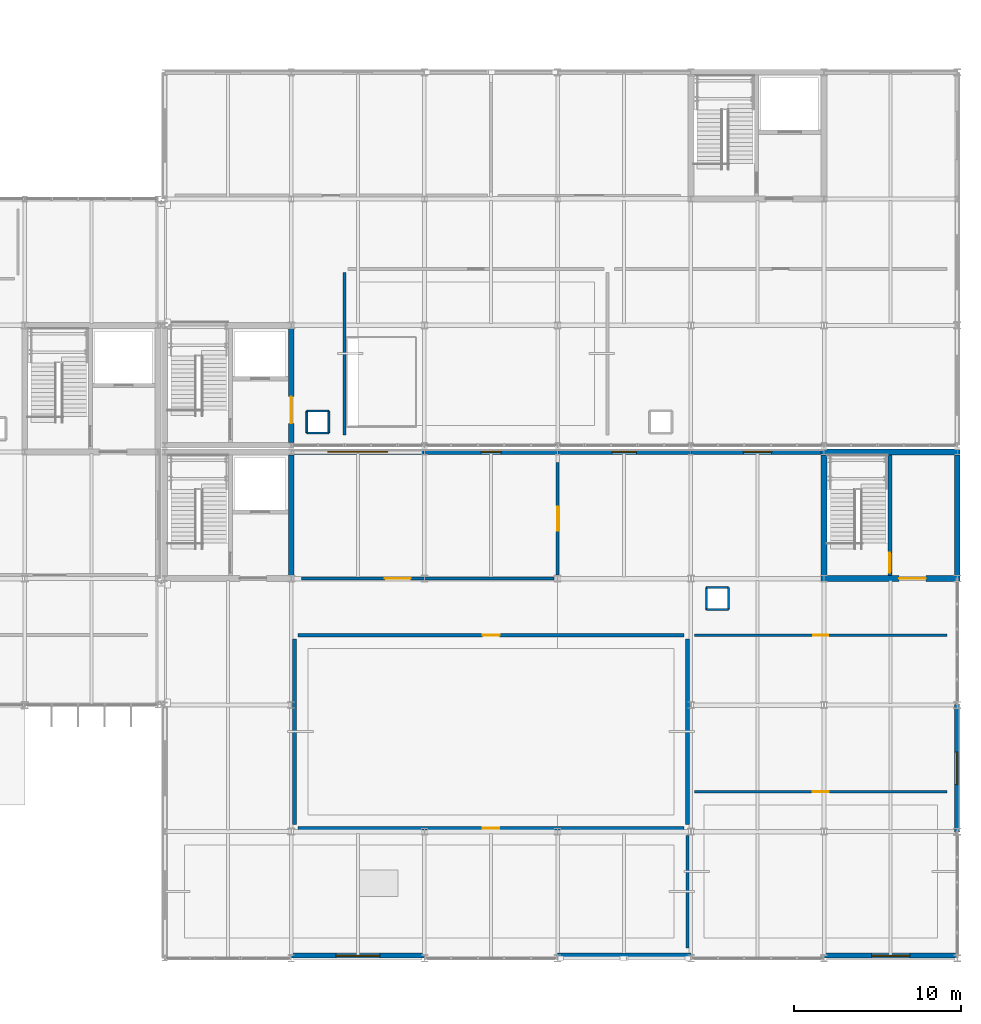
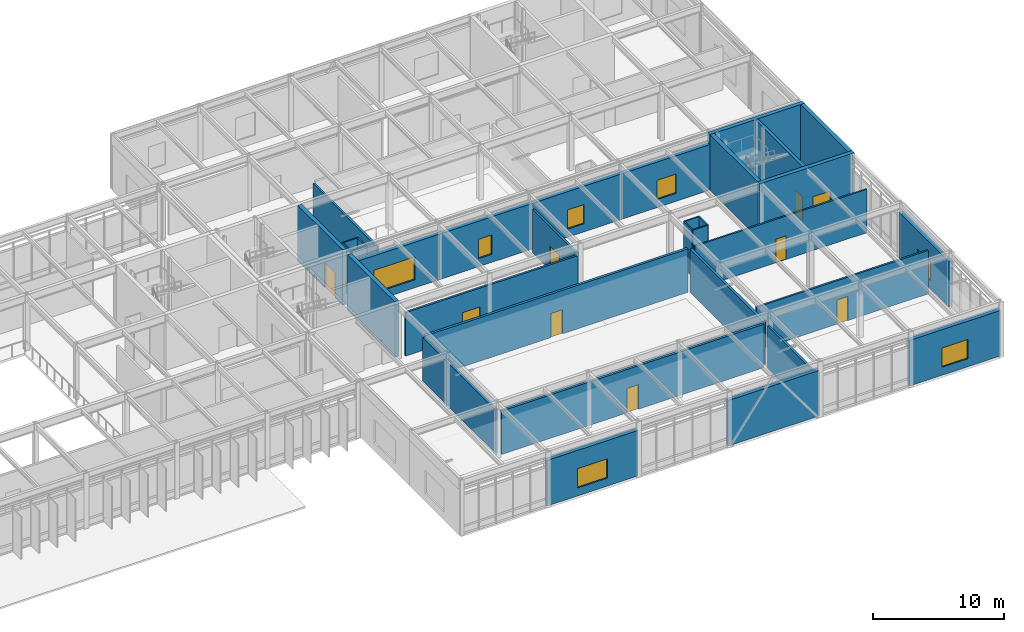
# One storey, part 77 of 94: 33 walls, 9 doors, 7 windows, 16 openings.
"""IFC4 building model written with IfcOpenShell, lengths in metres."""

from ifc_helpers import new_model, si_unit, direction, frame, frame_2d, origin, place, context, subcontext, project, spatial, rectangle, extrude, material, layer, layer_set, type_object, element, fill, save


model = new_model("IFC4")

# Units and contexts
model_context = context("Model", 3, precision=1e-05, world=origin(), true_north=direction((0.0, 1.0)))
body_context = subcontext(model_context, "Body", "Model", "MODEL_VIEW")
ifc_project = project(units=[si_unit("LENGTHUNIT", "METRE"), si_unit("AREAUNIT", "SQUARE_METRE"), si_unit("VOLUMEUNIT", "CUBIC_METRE"), si_unit("PLANEANGLEUNIT", "RADIAN"), si_unit("MASSUNIT", "GRAM", prefix="KILO")], contexts=[model_context])

# Site, building, storey
site_placement = place(None, origin())
site = spatial("IfcSite", under=ifc_project, at=site_placement, CompositionType="ELEMENT")
building_placement = place(site_placement, origin())
building = spatial("IfcBuilding", under=site, at=building_placement, Name="Zulena Civic Courthouse", CompositionType="ELEMENT")
storey_placement = place(building_placement, frame((0.0, 0.0, 5.39990234375)))
storey = spatial("IfcBuildingStorey", under=building, at=storey_placement, Name="L01", CompositionType="ELEMENT", Elevation=5.39990234375)

# Wall, opening, door
ifc_material_1 = material(Name="Concrete C40/50", Category="concrete")
ifc_layer_1 = layer(ifc_material_1, 0.25)
ifc_layer_set_1 = layer_set([ifc_layer_1], Name="Concrete C40/50")
wall_type_1 = type_object("IfcWallType", Name="CoreShearWall_RC250", PredefinedType="SHEAR", material=ifc_layer_set_1)
wall_1_placement = place(storey_placement, frame((167.949951171875, 22.97509765625, 0.0), z_axis=(0.0, 0.0, 1.0), x_axis=(0.0, 1.0, 0.0)))
wall_1 = element("IfcWall", 1, at=wall_1_placement, inside=storey, type_object=wall_type_1, Name="cwall:K1B:L01:DIV", PredefinedType="SHEAR", context=body_context, shape_type="SweptSolid", body=[
    extrude(rectangle(XDim=7.25, YDim=0.25, at=frame_2d((3.625, 0.0))), origin(), (0.0, 0.0, 1.0), 5.190185546875),
])
opening_1_placement = place(wall_1_placement, frame((0.179931640625, 0.0, 0.0)))
opening_1 = element("IfcOpeningElement", 2, at=opening_1_placement, cuts=wall_1, Name="Opening ID07", PredefinedType="OPENING", context=body_context, shape_type="SweptSolid", body=[
    extrude(rectangle(XDim=1.199951171875, YDim=2.199951171875, at=frame_2d((0.60009765625, 1.10009765625))), frame((0.0, 0.135009765625, 0.0), z_axis=(0.0, -1.0, 0.0), x_axis=(1.0, 0.0, 0.0)), (0.0, 0.0, 1.0), 0.27001953125),
])
ifc_material_2 = material(Name="Fire-rated galvanised steel ASTM A653 Grade 50", Category="steel")
door_type_1 = type_object("IfcDoorType", Name="IntDoor_Stair_1200x2200", OperationType="NOTDEFINED", PredefinedType="DOOR", material=ifc_material_2)
door_1_placement = place(opening_1_placement, origin())
door_1 = element("IfcDoor", 3, at=door_1_placement, inside=storey, type_object=door_type_1, Name="door:stair:K1B:L01", OperationType="SINGLE_SWING_RIGHT", OverallHeight=2.199951171875, OverallWidth=1.199951171875, PredefinedType="DOOR", context=body_context, shape_type="SweptSolid", body=[
    extrude(rectangle(XDim=1.199951171875, YDim=2.199951171875, at=frame_2d((0.60009765625, 1.10009765625))), frame((0.0, 0.02490234375, 0.0), z_axis=(0.0, -1.0, 0.0), x_axis=(1.0, 0.0, 0.0)), (0.0, 0.0, 1.0), 0.050048828125),
])
fill(opening_1, door_1)

# Wall
ifc_layer_2 = layer(ifc_material_1, 0.35009765625)
ifc_layer_set_2 = layer_set([ifc_layer_2], Name="Concrete C40/50")
wall_type_2 = type_object("IfcWallType", Name="CoreShearWall_RC350", PredefinedType="SHEAR", material=ifc_layer_set_2)
wall_2_placement = place(storey_placement, frame((132.0, 22.97509765625, 0.0), z_axis=(0.0, 0.0, 1.0), x_axis=(0.0, 1.0, 0.0)))
element("IfcWall", 4, at=wall_2_placement, inside=storey, type_object=wall_type_2, Name="cwall:K1A:L01:E", PredefinedType="SHEAR", context=body_context, shape_type="SweptSolid", body=[
    extrude(rectangle(XDim=7.25, YDim=0.35009765625, at=frame_2d((3.625, 0.0))), origin(), (0.0, 0.0, 1.0), 5.190185546875),
])

# Wall, opening, door
wall_3_placement = place(storey_placement, frame((163.824951171875, 22.800048828125, 0.0), z_axis=(0.0, 0.0, 1.0), x_axis=(1.0, 0.0, 0.0)))
wall_3 = element("IfcWall", 5, at=wall_3_placement, inside=storey, type_object=wall_type_2, Name="cwall:K1B:L01:S", PredefinedType="SHEAR", context=body_context, shape_type="SweptSolid", body=[
    extrude(rectangle(XDim=8.35009765625, YDim=0.35009765625, at=frame_2d((4.175048828125, 0.0))), origin(), (0.0, 0.0, 1.0), 5.190185546875),
])
opening_2_placement = place(wall_3_placement, frame((4.68505859375, 0.0, 0.0)))
opening_2 = element("IfcOpeningElement", 6, at=opening_2_placement, cuts=wall_3, Name="Opening ID04", PredefinedType="OPENING", context=body_context, shape_type="SweptSolid", body=[
    extrude(rectangle(XDim=1.60009765625, YDim=2.35009765625, at=frame_2d((0.800048828125, 1.175048828125))), frame((0.0, 0.18505859375, 0.0), z_axis=(0.0, -1.0, 0.0), x_axis=(1.0, 0.0, 0.0)), (0.0, 0.0, 1.0), 0.3701171875),
])
ifc_material_3 = material(Name="Solid-core acoustic hardwood timber", Category="wood")
door_type_2 = type_object("IfcDoorType", Name="IntDoor_CourtPublic_1600x2350", OperationType="DOUBLE_DOOR_SINGLE_SWING", PredefinedType="DOOR", material=ifc_material_3)
door_2_placement = place(opening_2_placement, origin())
door_2 = element("IfcDoor", 7, at=door_2_placement, inside=storey, type_object=door_type_2, Name="door:corelob:K1B:L01", OperationType="DOUBLE_DOOR_SINGLE_SWING", OverallHeight=2.35009765625, OverallWidth=1.60009765625, PredefinedType="DOOR", context=body_context, shape_type="SweptSolid", body=[
    extrude(rectangle(XDim=1.60009765625, YDim=2.35009765625, at=frame_2d((0.800048828125, 1.175048828125))), frame((0.0, 0.02490234375, 0.0), z_axis=(0.0, -1.0, 0.0), x_axis=(1.0, 0.0, 0.0)), (0.0, 0.0, 1.0), 0.050048828125),
])
fill(opening_2, door_2)

# Walls
wall_4_placement = place(storey_placement, frame((163.824951171875, 30.39990234375, 0.0), z_axis=(0.0, 0.0, 1.0), x_axis=(1.0, 0.0, 0.0)))
element("IfcWall", 8, at=wall_4_placement, inside=storey, type_object=wall_type_2, Name="cwall:K1B:L01:N", PredefinedType="SHEAR", context=body_context, shape_type="SweptSolid", body=[
    extrude(rectangle(XDim=8.35009765625, YDim=0.35009765625, at=frame_2d((4.175048828125, 0.0))), origin(), (0.0, 0.0, 1.0), 5.190185546875),
])
for number, where, z_axis, x_axis, name in (
    (9, (164.0, 22.97509765625, 0.0), (0.0, 0.0, 1.0), (0.0, 1.0, 0.0), "cwall:K1B:L01:W"),
    (10, (172.0, 22.97509765625, 0.0), (0.0, 0.0, 1.0), (0.0, 1.0, 0.0), "cwall:K1B:L01:E"),
):
    element("IfcWall", number, at=place(storey_placement, frame(where, z_axis=z_axis, x_axis=x_axis)), inside=storey, type_object=wall_type_2, Name=name, PredefinedType="SHEAR", context=body_context, shape_type="SweptSolid", body=[
        extrude(rectangle(XDim=7.25, YDim=0.35009765625, at=frame_2d((3.625, 0.0))), origin(), (0.0, 0.0, 1.0), 5.190185546875),
    ])

# Wall, opening, door
wall_5_placement = place(storey_placement, frame((132.0, 30.97509765625, 0.0), z_axis=(0.0, 0.0, 1.0), x_axis=(0.0, 1.0, 0.0)))
wall_5 = element("IfcWall", 11, at=wall_5_placement, inside=storey, type_object=wall_type_2, Name="cwall:K3A:L01:E", PredefinedType="SHEAR", context=body_context, shape_type="SweptSolid", body=[
    extrude(rectangle(XDim=6.849853515625, YDim=0.35009765625, at=frame_2d((3.4248046875, 0.0))), origin(), (0.0, 0.0, 1.0), 5.190185546875),
])
opening_3_placement = place(wall_5_placement, frame((1.14990234375, 0.0, 0.0)))
opening_3 = element("IfcOpeningElement", 12, at=opening_3_placement, cuts=wall_5, Name="Opening ID04", PredefinedType="OPENING", context=body_context, shape_type="SweptSolid", body=[
    extrude(rectangle(XDim=1.60009765625, YDim=2.35009765625, at=frame_2d((0.800048828125, 1.175048828125))), frame((0.0, 0.18505859375, 0.0), z_axis=(0.0, -1.0, 0.0), x_axis=(1.0, 0.0, 0.0)), (0.0, 0.0, 1.0), 0.3701171875),
])
door_3_placement = place(opening_3_placement, origin())
door_3 = element("IfcDoor", 13, at=door_3_placement, inside=storey, type_object=door_type_2, Name="door:corelob:K3A:L01", OperationType="DOUBLE_DOOR_SINGLE_SWING", OverallHeight=2.35009765625, OverallWidth=1.60009765625, PredefinedType="DOOR", context=body_context, shape_type="SweptSolid", body=[
    extrude(rectangle(XDim=1.60009765625, YDim=2.35009765625, at=frame_2d((0.800048828125, 1.175048828125))), frame((0.0, 0.02490234375, 0.0), z_axis=(0.0, -1.0, 0.0), x_axis=(1.0, 0.0, 0.0)), (0.0, 0.0, 1.0), 0.050048828125),
])
fill(opening_3, door_3)

# Wall, opening, window
ifc_material_4 = material(Name="Terracotta-rose architectural precast concrete C40/50", Category="masonry")
ifc_layer_3 = layer(ifc_material_4, 0.320068359375)
ifc_layer_set_3 = layer_set([ifc_layer_3], Name="Terracotta-rose architectural precast concrete C40/50")
wall_type_3 = type_object("IfcWallType", Name="ExtWall_TerraPrecast_320", PredefinedType="STANDARD", material=ifc_layer_set_3)
wall_6_placement = place(storey_placement, frame((131.97998046875, 30.39990234375, 0.0), z_axis=(0.0, 0.0, 1.0), x_axis=(1.0, 0.0, 0.0)))
wall_6 = element("IfcWall", 14, at=wall_6_placement, inside=storey, type_object=wall_type_3, Name="ewall:V1:L01:1:1", PredefinedType="STANDARD", context=body_context, shape_type="SweptSolid", body=[
    extrude(rectangle(XDim=8.0400390625, YDim=0.320068359375, at=frame_2d((4.02001953125, 0.0))), origin(), (0.0, 0.0, 1.0), 4.25),
])
opening_4_placement = place(wall_6_placement, frame((2.219970703125, 0.0, 0.75)))
opening_4 = element("IfcOpeningElement", 15, at=opening_4_placement, cuts=wall_6, Name="Opening WN15", PredefinedType="OPENING", context=body_context, shape_type="SweptSolid", body=[
    extrude(rectangle(XDim=3.60009765625, YDim=2.14990234375, at=frame_2d((1.800048828125, 1.074951171875))), frame((0.0, 0.169921875, 0.0), z_axis=(0.0, -1.0, 0.0), x_axis=(1.0, 0.0, 0.0)), (0.0, 0.0, 1.0), 0.340087890625),
])
ifc_material_5 = material(Name="Double-silver low-E laminated solar-control glass", Category="glass")
window_type_1 = type_object("IfcWindowType", Name="Win_3600x2150", PartitioningType="DOUBLE_PANEL_VERTICAL", PredefinedType="WINDOW", material=ifc_material_5)
window_1_placement = place(opening_4_placement, origin())
window_1 = element("IfcWindow", 16, at=window_1_placement, inside=storey, type_object=window_type_1, Name="win:V1:L01:1:1", OverallHeight=2.14990234375, OverallWidth=3.60009765625, PartitioningType="SINGLE_PANEL", PredefinedType="WINDOW", context=body_context, shape_type="SweptSolid", body=[
    extrude(rectangle(XDim=3.60009765625, YDim=2.14990234375, at=frame_2d((1.800048828125, 1.074951171875))), frame((0.0, 0.030029296875, 0.0), z_axis=(0.0, -1.0, 0.0), x_axis=(1.0, 0.0, 0.0)), (0.0, 0.0, 1.0), 0.06005859375),
])
fill(opening_4, window_1)

wall_7_placement = place(storey_placement, frame((139.97998046875, 30.39990234375, 0.0), z_axis=(0.0, 0.0, 1.0), x_axis=(1.0, 0.0, 0.0)))
wall_7 = element("IfcWall", 17, at=wall_7_placement, inside=storey, type_object=wall_type_3, Name="ewall:V1:L01:1:2", PredefinedType="STANDARD", context=body_context, shape_type="SweptSolid", body=[
    extrude(rectangle(XDim=8.0400390625, YDim=0.320068359375, at=frame_2d((4.02001953125, 0.0))), origin(), (0.0, 0.0, 1.0), 4.25),
])
opening_5_placement = place(wall_7_placement, frame((3.419921875, 0.0, 0.75)))
opening_5 = element("IfcOpeningElement", 18, at=opening_5_placement, cuts=wall_7, Name="Opening WN16", PredefinedType="OPENING", context=body_context, shape_type="SweptSolid", body=[
    extrude(rectangle(XDim=1.199951171875, YDim=1.800048828125, at=frame_2d((0.60009765625, 0.89990234375))), frame((0.0, 0.169921875, 0.0), z_axis=(0.0, -1.0, 0.0), x_axis=(1.0, 0.0, 0.0)), (0.0, 0.0, 1.0), 0.340087890625),
])
window_type_2 = type_object("IfcWindowType", Name="Win_1200x1800", PartitioningType="SINGLE_PANEL", PredefinedType="WINDOW", material=ifc_material_5)
window_2_placement = place(opening_5_placement, origin())
window_2 = element("IfcWindow", 19, at=window_2_placement, inside=storey, type_object=window_type_2, Name="win:V1:L01:1:2", OverallHeight=1.800048828125, OverallWidth=1.199951171875, PartitioningType="SINGLE_PANEL", PredefinedType="WINDOW", context=body_context, shape_type="SweptSolid", body=[
    extrude(rectangle(XDim=1.199951171875, YDim=1.800048828125, at=frame_2d((0.60009765625, 0.89990234375))), frame((0.0, 0.030029296875, 0.0), z_axis=(0.0, -1.0, 0.0), x_axis=(1.0, 0.0, 0.0)), (0.0, 0.0, 1.0), 0.06005859375),
])
fill(opening_5, window_2)

wall_8_placement = place(storey_placement, frame((147.97998046875, 30.39990234375, 0.0), z_axis=(0.0, 0.0, 1.0), x_axis=(1.0, 0.0, 0.0)))
wall_8 = element("IfcWall", 20, at=wall_8_placement, inside=storey, type_object=wall_type_3, Name="ewall:V1:L01:1:3", PredefinedType="STANDARD", context=body_context, shape_type="SweptSolid", body=[
    extrude(rectangle(XDim=8.0400390625, YDim=0.320068359375, at=frame_2d((4.02001953125, 0.0))), origin(), (0.0, 0.0, 1.0), 4.25),
])
opening_6_placement = place(wall_8_placement, frame((3.294921875, 0.0, 0.75)))
opening_6 = element("IfcOpeningElement", 21, at=opening_6_placement, cuts=wall_8, Name="Opening WN17", PredefinedType="OPENING", context=body_context, shape_type="SweptSolid", body=[
    extrude(rectangle(XDim=1.449951171875, YDim=1.800048828125, at=frame_2d((0.72509765625, 0.89990234375))), frame((0.0, 0.169921875, 0.0), z_axis=(0.0, -1.0, 0.0), x_axis=(1.0, 0.0, 0.0)), (0.0, 0.0, 1.0), 0.340087890625),
])
window_type_3 = type_object("IfcWindowType", Name="Win_1450x1800", PartitioningType="SINGLE_PANEL", PredefinedType="WINDOW", material=ifc_material_5)
window_3_placement = place(opening_6_placement, origin())
window_3 = element("IfcWindow", 22, at=window_3_placement, inside=storey, type_object=window_type_3, Name="win:V1:L01:1:3", OverallHeight=1.800048828125, OverallWidth=1.449951171875, PartitioningType="SINGLE_PANEL", PredefinedType="WINDOW", context=body_context, shape_type="SweptSolid", body=[
    extrude(rectangle(XDim=1.449951171875, YDim=1.800048828125, at=frame_2d((0.72509765625, 0.89990234375))), frame((0.0, 0.030029296875, 0.0), z_axis=(0.0, -1.0, 0.0), x_axis=(1.0, 0.0, 0.0)), (0.0, 0.0, 1.0), 0.06005859375),
])
fill(opening_6, window_3)

wall_9_placement = place(storey_placement, frame((155.97998046875, 30.39990234375, 0.0), z_axis=(0.0, 0.0, 1.0), x_axis=(1.0, 0.0, 0.0)))
wall_9 = element("IfcWall", 23, at=wall_9_placement, inside=storey, type_object=wall_type_3, Name="ewall:V1:L01:1:4", PredefinedType="STANDARD", context=body_context, shape_type="SweptSolid", body=[
    extrude(rectangle(XDim=8.0400390625, YDim=0.320068359375, at=frame_2d((4.02001953125, 0.0))), origin(), (0.0, 0.0, 1.0), 4.25),
])
opening_7_placement = place(wall_9_placement, frame((3.169921875, 0.0, 0.75)))
opening_7 = element("IfcOpeningElement", 24, at=opening_7_placement, cuts=wall_9, Name="Opening WN18", PredefinedType="OPENING", context=body_context, shape_type="SweptSolid", body=[
    extrude(rectangle(XDim=1.699951171875, YDim=1.800048828125, at=frame_2d((0.85009765625, 0.89990234375))), frame((0.0, 0.169921875, 0.0), z_axis=(0.0, -1.0, 0.0), x_axis=(1.0, 0.0, 0.0)), (0.0, 0.0, 1.0), 0.340087890625),
])
window_type_4 = type_object("IfcWindowType", Name="Win_1700x1800", PartitioningType="SINGLE_PANEL", PredefinedType="WINDOW", material=ifc_material_5)
window_4_placement = place(opening_7_placement, origin())
window_4 = element("IfcWindow", 25, at=window_4_placement, inside=storey, type_object=window_type_4, Name="win:V1:L01:1:4", OverallHeight=1.800048828125, OverallWidth=1.699951171875, PartitioningType="SINGLE_PANEL", PredefinedType="WINDOW", context=body_context, shape_type="SweptSolid", body=[
    extrude(rectangle(XDim=1.699951171875, YDim=1.800048828125, at=frame_2d((0.85009765625, 0.89990234375))), frame((0.0, 0.030029296875, 0.0), z_axis=(0.0, -1.0, 0.0), x_axis=(1.0, 0.0, 0.0)), (0.0, 0.0, 1.0), 0.06005859375),
])
fill(opening_7, window_4)

wall_10_placement = place(storey_placement, frame((172.0, 15.219970703125, 0.0), z_axis=(0.0, 0.0, 1.0), x_axis=(0.0, -1.0, 0.0)))
wall_10 = element("IfcWall", 26, at=wall_10_placement, inside=storey, type_object=wall_type_3, Name="ewall:V1:L01:2:2", PredefinedType="STANDARD", context=body_context, shape_type="SweptSolid", body=[
    extrude(rectangle(XDim=7.639892578125, YDim=0.320068359375, at=frame_2d((3.81982421875, 0.0))), origin(), (0.0, 0.0, 1.0), 4.25),
])
opening_8_placement = place(wall_10_placement, frame((2.844970703125, 0.0, 0.75)))
opening_8 = element("IfcOpeningElement", 27, at=opening_8_placement, cuts=wall_10, Name="Opening WN19", PredefinedType="OPENING", context=body_context, shape_type="SweptSolid", body=[
    extrude(rectangle(XDim=1.949951171875, YDim=1.800048828125, at=frame_2d((0.97509765625, 0.89990234375))), frame((0.0, 0.169921875, 0.0), z_axis=(0.0, -1.0, 0.0), x_axis=(1.0, 0.0, 0.0)), (0.0, 0.0, 1.0), 0.340087890625),
])
window_type_5 = type_object("IfcWindowType", Name="Win_1950x1800", PartitioningType="DOUBLE_PANEL_VERTICAL", PredefinedType="WINDOW", material=ifc_material_5)
window_5_placement = place(opening_8_placement, origin())
window_5 = element("IfcWindow", 28, at=window_5_placement, inside=storey, type_object=window_type_5, Name="win:V1:L01:2:2", OverallHeight=1.800048828125, OverallWidth=1.949951171875, PartitioningType="SINGLE_PANEL", PredefinedType="WINDOW", context=body_context, shape_type="SweptSolid", body=[
    extrude(rectangle(XDim=1.949951171875, YDim=1.800048828125, at=frame_2d((0.97509765625, 0.89990234375))), frame((0.0, 0.030029296875, 0.0), z_axis=(0.0, -1.0, 0.0), x_axis=(1.0, 0.0, 0.0)), (0.0, 0.0, 1.0), 0.06005859375),
])
fill(opening_8, window_5)

wall_11_placement = place(storey_placement, frame((172.02001953125, 0.159912109375, 0.0), z_axis=(0.0, 0.0, 1.0), x_axis=(-1.0, 0.0, 0.0)))
wall_11 = element("IfcWall", 29, at=wall_11_placement, inside=storey, type_object=wall_type_3, Name="ewall:V1:L01:3:0", PredefinedType="STANDARD", context=body_context, shape_type="SweptSolid", body=[
    extrude(rectangle(XDim=8.0400390625, YDim=0.320068359375, at=frame_2d((4.02001953125, 0.0))), origin(), (0.0, 0.0, 1.0), 4.25),
])
opening_9_placement = place(wall_11_placement, frame((2.8701171875, 0.0, 0.75)))
opening_9 = element("IfcOpeningElement", 30, at=opening_9_placement, cuts=wall_11, Name="Opening WN20", PredefinedType="OPENING", context=body_context, shape_type="SweptSolid", body=[
    extrude(rectangle(XDim=2.300048828125, YDim=1.800048828125, at=frame_2d((1.14990234375, 0.89990234375))), frame((0.0, 0.169921875, 0.0), z_axis=(0.0, -1.0, 0.0), x_axis=(1.0, 0.0, 0.0)), (0.0, 0.0, 1.0), 0.340087890625),
])
window_type_6 = type_object("IfcWindowType", Name="Win_2300x1800", PartitioningType="DOUBLE_PANEL_VERTICAL", PredefinedType="WINDOW", material=ifc_material_5)
window_6_placement = place(opening_9_placement, origin())
window_6 = element("IfcWindow", 31, at=window_6_placement, inside=storey, type_object=window_type_6, Name="win:V1:L01:3:0", OverallHeight=1.800048828125, OverallWidth=2.300048828125, PartitioningType="SINGLE_PANEL", PredefinedType="WINDOW", context=body_context, shape_type="SweptSolid", body=[
    extrude(rectangle(XDim=2.300048828125, YDim=1.800048828125, at=frame_2d((1.14990234375, 0.89990234375))), frame((0.0, 0.030029296875, 0.0), z_axis=(0.0, -1.0, 0.0), x_axis=(1.0, 0.0, 0.0)), (0.0, 0.0, 1.0), 0.06005859375),
])
fill(opening_9, window_6)

# Wall
wall_12_placement = place(storey_placement, frame((156.02001953125, 0.159912109375, 0.0), z_axis=(0.0, 0.0, 1.0), x_axis=(-1.0, 0.0, 0.0)))
element("IfcWall", 32, at=wall_12_placement, inside=storey, type_object=wall_type_3, Name="ewall:V1:L01:3:2", PredefinedType="STANDARD", context=body_context, shape_type="SweptSolid", body=[
    extrude(rectangle(XDim=8.0400390625, YDim=0.320068359375, at=frame_2d((4.02001953125, 0.0))), origin(), (0.0, 0.0, 1.0), 4.25),
])

# Wall, opening, window
wall_13_placement = place(storey_placement, frame((140.02001953125, 0.159912109375, 0.0), z_axis=(0.0, 0.0, 1.0), x_axis=(-1.0, 0.0, 0.0)))
wall_13 = element("IfcWall", 33, at=wall_13_placement, inside=storey, type_object=wall_type_3, Name="ewall:V1:L01:3:4", PredefinedType="STANDARD", context=body_context, shape_type="SweptSolid", body=[
    extrude(rectangle(XDim=8.0400390625, YDim=0.320068359375, at=frame_2d((4.02001953125, 0.0))), origin(), (0.0, 0.0, 1.0), 4.25),
])
opening_10_placement = place(wall_13_placement, frame((2.695068359375, 0.0, 0.75)))
opening_10 = element("IfcOpeningElement", 34, at=opening_10_placement, cuts=wall_13, Name="Opening WN21", PredefinedType="OPENING", context=body_context, shape_type="SweptSolid", body=[
    extrude(rectangle(XDim=2.64990234375, YDim=1.800048828125, at=frame_2d((1.324951171875, 0.89990234375))), frame((0.0, 0.169921875, 0.0), z_axis=(0.0, -1.0, 0.0), x_axis=(1.0, 0.0, 0.0)), (0.0, 0.0, 1.0), 0.340087890625),
])
window_type_7 = type_object("IfcWindowType", Name="Win_2650x1800", PartitioningType="DOUBLE_PANEL_VERTICAL", PredefinedType="WINDOW", material=ifc_material_5)
window_7_placement = place(opening_10_placement, origin())
window_7 = element("IfcWindow", 35, at=window_7_placement, inside=storey, type_object=window_type_7, Name="win:V1:L01:3:4", OverallHeight=1.800048828125, OverallWidth=2.64990234375, PartitioningType="SINGLE_PANEL", PredefinedType="WINDOW", context=body_context, shape_type="SweptSolid", body=[
    extrude(rectangle(XDim=2.64990234375, YDim=1.800048828125, at=frame_2d((1.324951171875, 0.89990234375))), frame((0.0, 0.030029296875, 0.0), z_axis=(0.0, -1.0, 0.0), x_axis=(1.0, 0.0, 0.0)), (0.0, 0.0, 1.0), 0.06005859375),
])
fill(opening_10, window_7)

# Wall, opening, door
ifc_material_6 = material(Name="Acoustic fire-rated gypsum board assembly", Category="masonry")
ifc_layer_4 = layer(ifc_material_6, 0.14599609375)
ifc_layer_set_4 = layer_set([ifc_layer_4], Name="Acoustic fire-rated gypsum board assembly")
wall_type_4 = type_object("IfcWallType", Name="PartWall_Chambers_146", PredefinedType="PARTITIONING", material=ifc_layer_set_4)
wall_14_placement = place(storey_placement, frame((156.219970703125, 19.39990234375, 0.0), z_axis=(0.0, 0.0, 1.0), x_axis=(1.0, 0.0, 0.0)))
wall_14 = element("IfcWall", 36, at=wall_14_placement, inside=storey, type_object=wall_type_4, Name="pwall:L01:218:0", PredefinedType="PARTITIONING", context=body_context, shape_type="SweptSolid", body=[
    extrude(rectangle(XDim=15.159912109375, YDim=0.14599609375, at=frame_2d((7.580078125, 0.0))), origin(), (0.0, 0.0, 1.0), 4.050048828125),
])
opening_11_placement = place(wall_14_placement, frame((7.1201171875, 0.0, 0.0)))
opening_11 = element("IfcOpeningElement", 37, at=opening_11_placement, cuts=wall_14, Name="Opening ID15", PredefinedType="OPENING", context=body_context, shape_type="SweptSolid", body=[
    extrude(rectangle(XDim=0.919921875, YDim=2.199951171875, at=frame_2d((0.4599609375, 1.10009765625))), frame((0.0, 0.0830078125, 0.0), z_axis=(0.0, -1.0, 0.0), x_axis=(1.0, 0.0, 0.0)), (0.0, 0.0, 1.0), 0.166015625),
])
door_type_3 = type_object("IfcDoorType", Name="IntDoor_Chambers_920x2200", OperationType="NOTDEFINED", PredefinedType="DOOR", material=ifc_material_3)
door_4_placement = place(opening_11_placement, origin())
door_4 = element("IfcDoor", 38, at=door_4_placement, inside=storey, type_object=door_type_3, Name="door:rm:L01:218", OperationType="SINGLE_SWING_LEFT", OverallHeight=2.199951171875, OverallWidth=0.919921875, PredefinedType="DOOR", context=body_context, shape_type="SweptSolid", body=[
    extrude(rectangle(XDim=0.919921875, YDim=2.199951171875, at=frame_2d((0.4599609375, 1.10009765625))), frame((0.0, 0.02490234375, 0.0), z_axis=(0.0, -1.0, 0.0), x_axis=(1.0, 0.0, 0.0)), (0.0, 0.0, 1.0), 0.050048828125),
])
fill(opening_11, door_4)

# Wall
ifc_layer_5 = layer(ifc_material_6, 0.177978515625)
ifc_layer_set_5 = layer_set([ifc_layer_5], Name="Acoustic fire-rated gypsum board assembly")
wall_type_5 = type_object("IfcWallType", Name="PartWall_Corridor_178", PredefinedType="PARTITIONING", material=ifc_layer_set_5)
wall_15_placement = place(storey_placement, frame((155.800048828125, 0.6201171875, 0.0), z_axis=(0.0, 0.0, 1.0), x_axis=(0.0, 1.0, 0.0)))
element("IfcWall", 39, at=wall_15_placement, inside=storey, type_object=wall_type_5, Name="pwall:L01:216:1", PredefinedType="PARTITIONING", context=body_context, shape_type="SweptSolid", body=[
    extrude(rectangle(XDim=6.759765625, YDim=0.177978515625, at=frame_2d((3.3798828125, 0.0))), origin(), (0.0, 0.0, 1.0), 4.050048828125),
])

# Wall, opening, door
wall_16_placement = place(storey_placement, frame((132.6201171875, 22.800048828125, 0.0), z_axis=(0.0, 0.0, 1.0), x_axis=(1.0, 0.0, 0.0)))
wall_16 = element("IfcWall", 40, at=wall_16_placement, inside=storey, type_object=wall_type_5, Name="pwall:L01:219:0", PredefinedType="PARTITIONING", context=body_context, shape_type="SweptSolid", body=[
    extrude(rectangle(XDim=15.159912109375, YDim=0.177978515625, at=frame_2d((7.580078125, 0.0))), origin(), (0.0, 0.0, 1.0), 4.050048828125),
])
opening_12_placement = place(wall_16_placement, frame((5.0048828125, 0.0, 0.0)))
opening_12 = element("IfcOpeningElement", 41, at=opening_12_placement, cuts=wall_16, Name="Opening ID16", PredefinedType="OPENING", context=body_context, shape_type="SweptSolid", body=[
    extrude(rectangle(XDim=1.550048828125, YDim=2.300048828125, at=frame_2d((0.77490234375, 1.14990234375))), frame((0.0, 0.098876953125, 0.0), z_axis=(0.0, -1.0, 0.0), x_axis=(1.0, 0.0, 0.0)), (0.0, 0.0, 1.0), 0.197998046875),
])
door_type_4 = type_object("IfcDoorType", Name="IntDoor_Registry_1550x2300", OperationType="DOUBLE_DOOR_SINGLE_SWING", PredefinedType="DOOR", material=ifc_material_3)
door_5_placement = place(opening_12_placement, origin())
door_5 = element("IfcDoor", 42, at=door_5_placement, inside=storey, type_object=door_type_4, Name="door:rm:L01:219", OperationType="DOUBLE_DOOR_SINGLE_SWING", OverallHeight=2.300048828125, OverallWidth=1.550048828125, PredefinedType="DOOR", context=body_context, shape_type="SweptSolid", body=[
    extrude(rectangle(XDim=1.550048828125, YDim=2.300048828125, at=frame_2d((0.77490234375, 1.14990234375))), frame((0.0, 0.02490234375, 0.0), z_axis=(0.0, -1.0, 0.0), x_axis=(1.0, 0.0, 0.0)), (0.0, 0.0, 1.0), 0.050048828125),
])
fill(opening_12, door_5)

wall_17_placement = place(storey_placement, frame((148.0, 23.02001953125, 0.0), z_axis=(0.0, 0.0, 1.0), x_axis=(0.0, 1.0, 0.0)))
wall_17 = element("IfcWall", 43, at=wall_17_placement, inside=storey, type_object=wall_type_5, Name="pwall:L01:219:1", PredefinedType="PARTITIONING", context=body_context, shape_type="SweptSolid", body=[
    extrude(rectangle(XDim=6.760009765625, YDim=0.177978515625, at=frame_2d((3.3798828125, 0.0))), origin(), (0.0, 0.0, 1.0), 4.050048828125),
])
opening_13_placement = place(wall_17_placement, frame((2.655029296875, 0.0, 0.0)))
opening_13 = element("IfcOpeningElement", 44, at=opening_13_placement, cuts=wall_17, Name="Opening ID17", PredefinedType="OPENING", context=body_context, shape_type="SweptSolid", body=[
    extrude(rectangle(XDim=1.449951171875, YDim=2.25, at=frame_2d((0.72509765625, 1.125))), frame((0.0, 0.098876953125, 0.0), z_axis=(0.0, -1.0, 0.0), x_axis=(1.0, 0.0, 0.0)), (0.0, 0.0, 1.0), 0.197998046875),
])
door_type_5 = type_object("IfcDoorType", Name="IntDoor_Registry_1450x2250", OperationType="DOUBLE_DOOR_SINGLE_SWING", PredefinedType="DOOR", material=ifc_material_3)
door_6_placement = place(opening_13_placement, origin())
door_6 = element("IfcDoor", 45, at=door_6_placement, inside=storey, type_object=door_type_5, Name="door:rm:L01:220", OperationType="DOUBLE_DOOR_SINGLE_SWING", OverallHeight=2.25, OverallWidth=1.449951171875, PredefinedType="DOOR", context=body_context, shape_type="SweptSolid", body=[
    extrude(rectangle(XDim=1.449951171875, YDim=2.25, at=frame_2d((0.72509765625, 1.125))), frame((0.0, 0.02490234375, 0.0), z_axis=(0.0, -1.0, 0.0), x_axis=(1.0, 0.0, 0.0)), (0.0, 0.0, 1.0), 0.050048828125),
])
fill(opening_13, door_6)

# Wall
wall_18_placement = place(storey_placement, frame((135.199951171875, 31.419921875, 0.0), z_axis=(0.0, 0.0, 1.0), x_axis=(0.0, 1.0, 0.0)))
element("IfcWall", 46, at=wall_18_placement, inside=storey, type_object=wall_type_5, Name="pwall:L01:264:2", PredefinedType="PARTITIONING", context=body_context, shape_type="SweptSolid", body=[
    extrude(rectangle(XDim=9.760009765625, YDim=0.177978515625, at=frame_2d((4.8798828125, 0.0))), origin(), (0.0, 0.0, 1.0), 4.050048828125),
])

# Wall, opening, door
ifc_layer_6 = layer(ifc_material_6, 0.215087890625)
ifc_layer_set_6 = layer_set([ifc_layer_6], Name="Acoustic fire-rated gypsum board assembly")
wall_type_6 = type_object("IfcWallType", Name="PartWall_CourtAcoustic_215", PredefinedType="PARTITIONING", material=ifc_layer_set_6)
wall_19_placement = place(storey_placement, frame((132.419921875, 19.39990234375, 0.0), z_axis=(0.0, 0.0, 1.0), x_axis=(1.0, 0.0, 0.0)))
wall_19 = element("IfcWall", 47, at=wall_19_placement, inside=storey, type_object=wall_type_6, Name="pwall:L01:215:0", PredefinedType="PARTITIONING", context=body_context, shape_type="SweptSolid", body=[
    extrude(rectangle(XDim=23.16015625, YDim=0.215087890625, at=frame_2d((11.580078125, 0.0))), origin(), (0.0, 0.0, 1.0), 4.050048828125),
])
opening_14_placement = place(wall_19_placement, frame((11.070068359375, 0.0, 0.0)))
opening_14 = element("IfcOpeningElement", 48, at=opening_14_placement, cuts=wall_19, Name="Opening ID12", PredefinedType="OPENING", context=body_context, shape_type="SweptSolid", body=[
    extrude(rectangle(XDim=1.02001953125, YDim=2.25, at=frame_2d((0.510009765625, 1.125))), frame((0.0, 0.117431640625, 0.0), z_axis=(0.0, -1.0, 0.0), x_axis=(1.0, 0.0, 0.0)), (0.0, 0.0, 1.0), 0.235107421875),
])
door_type_6 = type_object("IfcDoorType", Name="IntDoor_Jury_1020x2250", OperationType="NOTDEFINED", PredefinedType="DOOR", material=ifc_material_3)
door_7_placement = place(opening_14_placement, origin())
door_7 = element("IfcDoor", 49, at=door_7_placement, inside=storey, type_object=door_type_6, Name="door:rm:L01:215", OperationType="SINGLE_SWING_RIGHT", OverallHeight=2.25, OverallWidth=1.02001953125, PredefinedType="DOOR", context=body_context, shape_type="SweptSolid", body=[
    extrude(rectangle(XDim=1.02001953125, YDim=2.25, at=frame_2d((0.510009765625, 1.125))), frame((0.0, 0.02490234375, 0.0), z_axis=(0.0, -1.0, 0.0), x_axis=(1.0, 0.0, 0.0)), (0.0, 0.0, 1.0), 0.050048828125),
])
fill(opening_14, door_7)

wall_20_placement = place(storey_placement, frame((132.419921875, 7.800048828125, 0.0), z_axis=(0.0, 0.0, 1.0), x_axis=(1.0, 0.0, 0.0)))
wall_20 = element("IfcWall", 50, at=wall_20_placement, inside=storey, type_object=wall_type_6, Name="pwall:L01:215:1", PredefinedType="PARTITIONING", context=body_context, shape_type="SweptSolid", body=[
    extrude(rectangle(XDim=23.16015625, YDim=0.215087890625, at=frame_2d((11.580078125, 0.0))), origin(), (0.0, 0.0, 1.0), 4.050048828125),
])
opening_15_placement = place(wall_20_placement, frame((11.080078125, 0.0, 0.0)))
opening_15 = element("IfcOpeningElement", 51, at=opening_15_placement, cuts=wall_20, Name="Opening ID13", PredefinedType="OPENING", context=body_context, shape_type="SweptSolid", body=[
    extrude(rectangle(XDim=1.0, YDim=2.300048828125, at=frame_2d((0.5, 1.14990234375))), frame((0.0, 0.117431640625, 0.0), z_axis=(0.0, -1.0, 0.0), x_axis=(1.0, 0.0, 0.0)), (0.0, 0.0, 1.0), 0.235107421875),
])
door_type_7 = type_object("IfcDoorType", Name="IntDoor_Chambers_1000x2300", OperationType="NOTDEFINED", PredefinedType="DOOR", material=ifc_material_3)
door_8_placement = place(opening_15_placement, origin())
door_8 = element("IfcDoor", 52, at=door_8_placement, inside=storey, type_object=door_type_7, Name="door:rm:L01:216", OperationType="SINGLE_SWING_LEFT", OverallHeight=2.300048828125, OverallWidth=1.0, PredefinedType="DOOR", context=body_context, shape_type="SweptSolid", body=[
    extrude(rectangle(XDim=1.0, YDim=2.300048828125, at=frame_2d((0.5, 1.14990234375))), frame((0.0, 0.02490234375, 0.0), z_axis=(0.0, -1.0, 0.0), x_axis=(1.0, 0.0, 0.0)), (0.0, 0.0, 1.0), 0.050048828125),
])
fill(opening_15, door_8)

# Walls
for number, where, z_axis, x_axis, name in (
    (53, (155.800048828125, 8.02001953125, 0.0), (0.0, 0.0, 1.0), (0.0, 1.0, 0.0), "pwall:L01:215:2"),
    (54, (132.199951171875, 8.02001953125, 0.0), (0.0, 0.0, 1.0), (0.0, 1.0, 0.0), "pwall:L01:215:3"),
):
    element("IfcWall", number, at=place(storey_placement, frame(where, z_axis=z_axis, x_axis=x_axis)), inside=storey, type_object=wall_type_6, Name=name, PredefinedType="PARTITIONING", context=body_context, shape_type="SweptSolid", body=[
        extrude(rectangle(XDim=11.159912109375, YDim=0.215087890625, at=frame_2d((5.580078125, 0.0))), origin(), (0.0, 0.0, 1.0), 4.050048828125),
    ])

# Wall, opening, door
ifc_layer_7 = layer(ifc_material_6, 0.162109375)
ifc_layer_set_7 = layer_set([ifc_layer_7], Name="Acoustic fire-rated gypsum board assembly")
wall_type_7 = type_object("IfcWallType", Name="PartWall_Jury_162", PredefinedType="PARTITIONING", material=ifc_layer_set_7)
wall_21_placement = place(storey_placement, frame((156.219970703125, 10.0, 0.0), z_axis=(0.0, 0.0, 1.0), x_axis=(1.0, 0.0, 0.0)))
wall_21 = element("IfcWall", 55, at=wall_21_placement, inside=storey, type_object=wall_type_7, Name="pwall:L01:217:0", PredefinedType="PARTITIONING", context=body_context, shape_type="SweptSolid", body=[
    extrude(rectangle(XDim=15.159912109375, YDim=0.162109375, at=frame_2d((7.580078125, 0.0))), origin(), (0.0, 0.0, 1.0), 4.050048828125),
])
opening_16_placement = place(wall_21_placement, frame((7.10009765625, 0.0, 0.0)))
opening_16 = element("IfcOpeningElement", 56, at=opening_16_placement, cuts=wall_21, Name="Opening ID14", PredefinedType="OPENING", context=body_context, shape_type="SweptSolid", body=[
    extrude(rectangle(XDim=0.9599609375, YDim=2.25, at=frame_2d((0.47998046875, 1.125))), frame((0.0, 0.091064453125, 0.0), z_axis=(0.0, -1.0, 0.0), x_axis=(1.0, 0.0, 0.0)), (0.0, 0.0, 1.0), 0.18212890625),
])
door_type_8 = type_object("IfcDoorType", Name="IntDoor_Chambers_960x2250", OperationType="NOTDEFINED", PredefinedType="DOOR", material=ifc_material_3)
door_9_placement = place(opening_16_placement, origin())
door_9 = element("IfcDoor", 57, at=door_9_placement, inside=storey, type_object=door_type_8, Name="door:rm:L01:217", OperationType="SINGLE_SWING_RIGHT", OverallHeight=2.25, OverallWidth=0.9599609375, PredefinedType="DOOR", context=body_context, shape_type="SweptSolid", body=[
    extrude(rectangle(XDim=0.9599609375, YDim=2.25, at=frame_2d((0.47998046875, 1.125))), frame((0.0, 0.02490234375, 0.0), z_axis=(0.0, -1.0, 0.0), x_axis=(1.0, 0.0, 0.0)), (0.0, 0.0, 1.0), 0.050048828125),
])
fill(opening_16, door_9)

# Walls
ifc_material_7 = material(Name="Insulated blockwork masonry ASTM C90", Category="masonry")
ifc_layer_8 = layer(ifc_material_7, 0.114990234375)
ifc_layer_set_8 = layer_set([ifc_layer_8], Name="Insulated blockwork masonry ASTM C90")
wall_type_8 = type_object("IfcWallType", Name="PartWall_Riser_115", PredefinedType="PARTITIONING", material=ifc_layer_set_8)
for number, where, z_axis, x_axis, name in (
    (58, (156.93994140625, 20.93994140625, 0.0), (0.0, 0.0, 1.0), (1.0, 0.0, 0.0), "riser:RS-V1E:L01:0"),
    (59, (158.260009765625, 20.93994140625, 0.0), (0.0, 0.0, 1.0), (0.0, 1.0, 0.0), "riser:RS-V1E:L01:1"),
    (60, (158.260009765625, 22.260009765625, 0.0), (0.0, 0.0, 1.0), (-1.0, 0.0, 0.0), "riser:RS-V1E:L01:2"),
    (61, (156.93994140625, 22.260009765625, 0.0), (0.0, 0.0, 1.0), (0.0, -1.0, 0.0), "riser:RS-V1E:L01:3"),
    (62, (132.93994140625, 31.5400390625, 0.0), (0.0, 0.0, 1.0), (1.0, 0.0, 0.0), "riser:RS-V3W:L01:0"),
    (63, (134.260009765625, 31.5400390625, 0.0), (0.0, 0.0, 1.0), (0.0, 1.0, 0.0), "riser:RS-V3W:L01:1"),
    (64, (134.260009765625, 32.860107421875, 0.0), (0.0, 0.0, 1.0), (-1.0, 0.0, 0.0), "riser:RS-V3W:L01:2"),
    (65, (132.93994140625, 32.860107421875, 0.0), (0.0, 0.0, 1.0), (0.0, -1.0, 0.0), "riser:RS-V3W:L01:3"),
):
    element("IfcWall", number, at=place(storey_placement, frame(where, z_axis=z_axis, x_axis=x_axis)), inside=storey, type_object=wall_type_8, Name=name, PredefinedType="PARTITIONING", context=body_context, shape_type="SweptSolid", body=[
        extrude(rectangle(XDim=1.320068359375, YDim=0.114990234375, at=frame_2d((0.66015625, 0.0))), origin(), (0.0, 0.0, 1.0), 4.35009765625),
    ])

save(model, "model.ifc")
